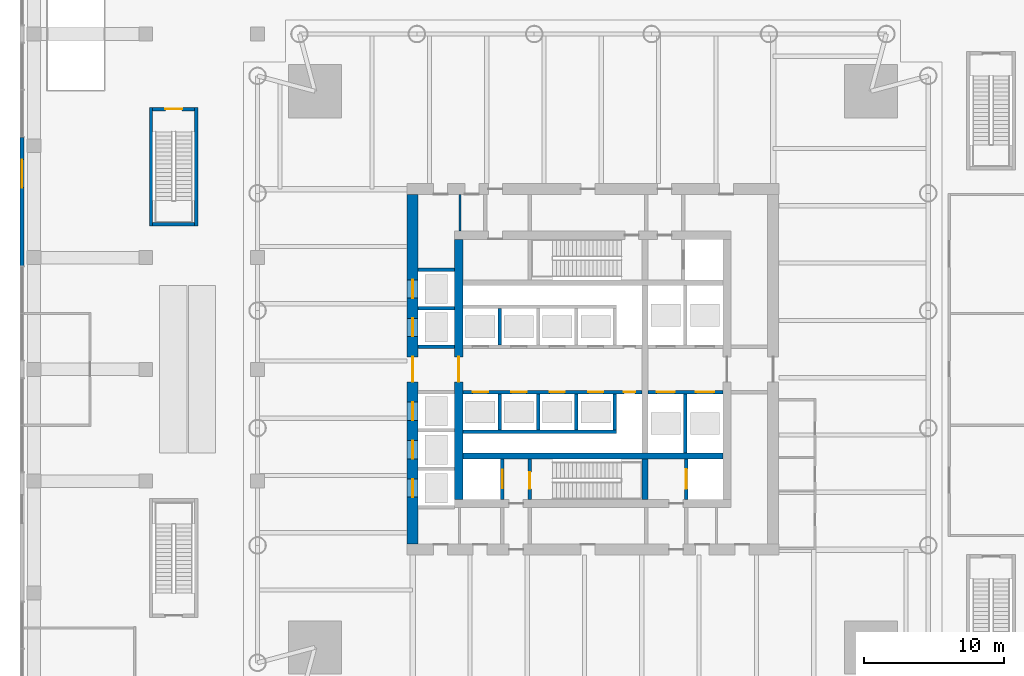
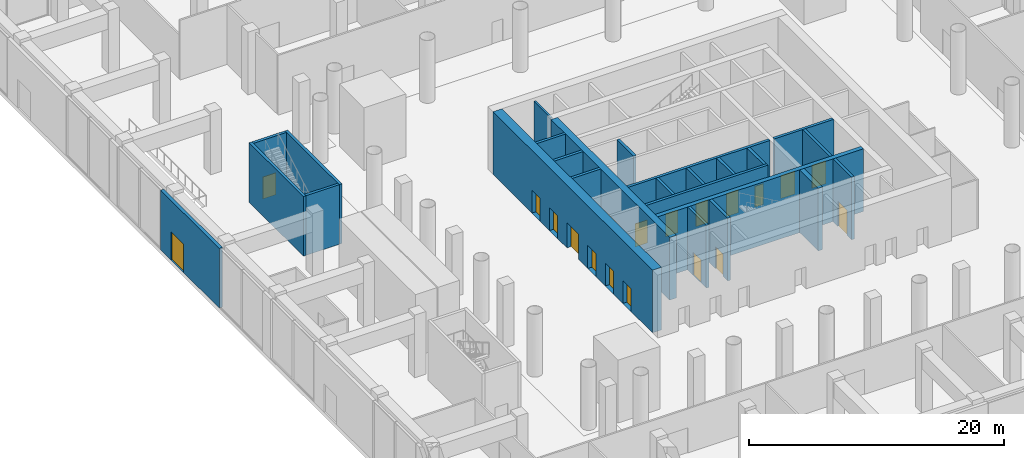
# One storey, part 25 of 39: 25 walls, 19 doors, 19 openings.
"""IFC4 building model written with IfcOpenShell, lengths in metres."""

from ifc_helpers import new_model, si_unit, direction, frame, frame_2d, origin, place, context, subcontext, project, spatial, rectangle, extrude, material, layer, layer_set, type_object, element, fill, save


model = new_model("IFC4")

# Units and contexts
model_context = context("Model", 3, precision=1e-05, world=origin(), true_north=direction((0.0, 1.0)))
body_context = subcontext(model_context, "Body", "Model", "MODEL_VIEW")
ifc_project = project(units=[si_unit("LENGTHUNIT", "METRE"), si_unit("AREAUNIT", "SQUARE_METRE"), si_unit("VOLUMEUNIT", "CUBIC_METRE"), si_unit("PLANEANGLEUNIT", "RADIAN"), si_unit("MASSUNIT", "GRAM", prefix="KILO")], contexts=[model_context])

# Site, building, storey
site_placement = place(None, origin())
site = spatial("IfcSite", under=ifc_project, at=site_placement, CompositionType="ELEMENT")
building_placement = place(site_placement, origin())
building = spatial("IfcBuilding", under=site, at=building_placement, Name="Ostroluk Exchange", CompositionType="ELEMENT")
storey_placement = place(building_placement, origin())
storey = spatial("IfcBuildingStorey", under=building, at=storey_placement, Name="L00", CompositionType="ELEMENT", Elevation=0.0)

# Walls
ifc_material_1 = material(Name="Concrete blockwork", Category="masonry")
ifc_layer_1 = layer(ifc_material_1, 0.14990234375)
ifc_layer_set_1 = layer_set([ifc_layer_1], Name="Blockwork plant room wall 150")
wall_type_1 = type_object("IfcWallType", Name="Blockwork plant room wall 150", PredefinedType="SOLIDWALL", material=ifc_layer_set_1)
wall_1_placement = place(storey_placement, frame((35.491943359375, 55.89990234375, 0.0), z_axis=(0.0, 0.0, 1.0), x_axis=(0.0, 1.0, 0.0)))
element("IfcWall", 1, at=wall_1_placement, inside=storey, type_object=wall_type_1, Name="Core room wall", PredefinedType="SOLIDWALL", context=body_context, shape_type="SweptSolid", body=[
    extrude(rectangle(XDim=2.60009765625, YDim=0.14990234375, at=frame_2d((1.300048828125, 0.0))), origin(), (0.0, 0.0, 1.0), 5.699951171875),
])
ifc_material_2 = material(Name="Concrete blockwork", Category="masonry")
ifc_layer_2 = layer(ifc_material_2, 0.25)
ifc_layer_set_2 = layer_set([ifc_layer_2], Name="Blockwork stair enclosure wall 250")
wall_type_2 = type_object("IfcWallType", Name="Blockwork stair enclosure wall 250", PredefinedType="SOLIDWALL", material=ifc_layer_set_2)
for number, where, z_axis, x_axis, name in (
    (2, (13.375, 56.25, 0.0), (0.0, 0.0, 1.0), (0.0, 1.0, 0.0), "Stair PS2 enclosure wall"),
    (3, (16.625, 56.25, 0.0), (0.0, 0.0, 1.0), (0.0, 1.0, 0.0), "Stair PS2 enclosure wall"),
):
    element("IfcWall", number, at=place(storey_placement, frame(where, z_axis=z_axis, x_axis=x_axis)), inside=storey, type_object=wall_type_2, Name=name, PredefinedType="SOLIDWALL", context=body_context, shape_type="SweptSolid", body=[
        extrude(rectangle(XDim=8.5, YDim=0.25, at=frame_2d((4.25, 0.0))), origin(), (0.0, 0.0, 1.0), 5.699951171875),
    ])
wall_2_placement = place(storey_placement, frame((13.5, 56.375, 0.0), z_axis=(0.0, 0.0, 1.0), x_axis=(1.0, 0.0, 0.0)))
element("IfcWall", 4, at=wall_2_placement, inside=storey, type_object=wall_type_2, Name="Stair PS2 enclosure wall", PredefinedType="SOLIDWALL", context=body_context, shape_type="SweptSolid", body=[
    extrude(rectangle(XDim=3.0, YDim=0.25, at=frame_2d((1.5, 0.0))), origin(), (0.0, 0.0, 1.0), 5.699951171875),
])

# Wall, opening, door
wall_3_placement = place(storey_placement, frame((13.5, 64.625, 0.0), z_axis=(0.0, 0.0, 1.0), x_axis=(1.0, 0.0, 0.0)))
wall_3 = element("IfcWall", 5, at=wall_3_placement, inside=storey, type_object=wall_type_2, Name="Stair PS2 enclosure wall", PredefinedType="SOLIDWALL", context=body_context, shape_type="SweptSolid", body=[
    extrude(rectangle(XDim=3.0, YDim=0.25, at=frame_2d((1.5, 0.0))), origin(), (0.0, 0.0, 1.0), 5.699951171875),
])
opening_1_placement = place(wall_3_placement, frame((0.89990234375, 0.0, 0.0)))
opening_1 = element("IfcOpeningElement", 6, at=opening_1_placement, cuts=wall_3, Name="Opening FD60S", PredefinedType="OPENING", context=body_context, shape_type="SweptSolid", body=[
    extrude(rectangle(XDim=1.199951171875, YDim=2.10009765625, at=frame_2d((0.60009765625, 1.050048828125))), frame((0.0, 0.135009765625, 0.0), z_axis=(0.0, -1.0, 0.0), x_axis=(1.0, 0.0, 0.0)), (0.0, 0.0, 1.0), 0.27001953125),
])
ifc_material_3 = material(Name="Steel", Category="steel")
door_type_1 = type_object("IfcDoorType", Name="Stair door EI 60 1200 x 2100", OperationType="SINGLE_SWING_LEFT", PredefinedType="DOOR", material=ifc_material_3)
door_1_placement = place(opening_1_placement, origin())
door_1 = element("IfcDoor", 7, at=door_1_placement, inside=storey, type_object=door_type_1, Name="Stair PS2 door", OperationType="SINGLE_SWING_LEFT", OverallHeight=2.10009765625, OverallWidth=1.199951171875, PredefinedType="DOOR", context=body_context, shape_type="SweptSolid", body=[
    extrude(rectangle(XDim=1.199951171875, YDim=2.10009765625, at=frame_2d((0.60009765625, 1.050048828125))), frame((0.0, 0.02490234375, 0.0), z_axis=(0.0, -1.0, 0.0), x_axis=(1.0, 0.0, 0.0)), (0.0, 0.0, 1.0), 0.050048828125),
])
fill(opening_1, door_1)

# Walls
ifc_material_4 = material(Name="Concrete C50/60", Category="concrete")
ifc_layer_3 = layer(ifc_material_4, 0.39990234375)
ifc_layer_set_3 = layer_set([ifc_layer_3], Name="Core cross wall 400 C50/60")
wall_type_3 = type_object("IfcWallType", Name="Core cross wall 400 C50/60", PredefinedType="SHEAR", material=ifc_layer_set_3)
wall_4_placement = place(storey_placement, frame((35.699951171875, 39.800048828125, 0.0), z_axis=(0.0, 0.0, 1.0), x_axis=(1.0, 0.0, 0.0)))
element("IfcWall", 8, at=wall_4_placement, inside=storey, type_object=wall_type_3, Name="T1 core wall XS", PredefinedType="SHEAR", context=body_context, shape_type="SweptSolid", body=[
    extrude(rectangle(XDim=18.60009765625, YDim=0.39990234375, at=frame_2d((9.300048828125, 0.0))), origin(), (0.0, 0.0, 1.0), 6.0),
])
wall_5_placement = place(storey_placement, frame((48.72998046875, 36.699951171875, 0.0), z_axis=(0.0, 0.0, 1.0), x_axis=(0.0, 1.0, 0.0)))
element("IfcWall", 9, at=wall_5_placement, inside=storey, type_object=wall_type_3, Name="T1 core wall YE1", PredefinedType="SHEAR", context=body_context, shape_type="SweptSolid", body=[
    extrude(rectangle(XDim=2.900146484375, YDim=0.39990234375, at=frame_2d((1.4501953125, 0.0))), origin(), (0.0, 0.0, 1.0), 6.0),
])

# Wall, opening, door
ifc_material_5 = material(Name="Concrete C40/50", Category="concrete")
ifc_layer_4 = layer(ifc_material_5, 0.25)
ifc_layer_set_4 = layer_set([ifc_layer_4], Name="Core shaft wall 250")
wall_type_4 = type_object("IfcWallType", Name="Core shaft wall 250", PredefinedType="SHEAR", material=ifc_layer_set_4)
wall_6_placement = place(storey_placement, frame((38.52490234375, 36.699951171875, 0.0), z_axis=(0.0, 0.0, 1.0), x_axis=(0.0, 1.0, 0.0)))
wall_6 = element("IfcWall", 10, at=wall_6_placement, inside=storey, type_object=wall_type_4, Name="Firefighting lift shaft wall", PredefinedType="SHEAR", context=body_context, shape_type="SweptSolid", body=[
    extrude(rectangle(XDim=2.900146484375, YDim=0.25, at=frame_2d((1.4501953125, 0.0))), origin(), (0.0, 0.0, 1.0), 6.0),
])
opening_2_placement = place(wall_6_placement, frame((0.800048828125, 0.0, 0.0)))
opening_2 = element("IfcOpeningElement", 11, at=opening_2_placement, cuts=wall_6, Name="Opening LD2", PredefinedType="OPENING", context=body_context, shape_type="SweptSolid", body=[
    extrude(rectangle(XDim=1.300048828125, YDim=2.199951171875, at=frame_2d((0.64990234375, 1.10009765625))), frame((0.0, 0.135009765625, 0.0), z_axis=(0.0, -1.0, 0.0), x_axis=(1.0, 0.0, 0.0)), (0.0, 0.0, 1.0), 0.27001953125),
])
ifc_material_6 = material(Name="Stainless steel", Category="steel")
door_type_2 = type_object("IfcDoorType", Name="Lift landing door E 60 1300 x 2200", OperationType="DOUBLE_DOOR_SLIDING", PredefinedType="DOOR", material=ifc_material_6)
door_2_placement = place(opening_2_placement, origin())
door_2 = element("IfcDoor", 12, at=door_2_placement, inside=storey, type_object=door_type_2, Name="Lift FL1 landing door", OperationType="DOUBLE_DOOR_SLIDING", OverallHeight=2.199951171875, OverallWidth=1.300048828125, PredefinedType="DOOR", context=body_context, shape_type="SweptSolid", body=[
    extrude(rectangle(XDim=1.300048828125, YDim=2.199951171875, at=frame_2d((0.64990234375, 1.10009765625))), frame((0.0, 0.02490234375, 0.0), z_axis=(0.0, -1.0, 0.0), x_axis=(1.0, 0.0, 0.0)), (0.0, 0.0, 1.0), 0.050048828125),
])
fill(opening_2, door_2)

wall_7_placement = place(storey_placement, frame((40.47509765625, 36.699951171875, 0.0), z_axis=(0.0, 0.0, 1.0), x_axis=(0.0, 1.0, 0.0)))
wall_7 = element("IfcWall", 13, at=wall_7_placement, inside=storey, type_object=wall_type_4, Name="Stair shaft wall", PredefinedType="SHEAR", context=body_context, shape_type="SweptSolid", body=[
    extrude(rectangle(XDim=2.900146484375, YDim=0.25, at=frame_2d((1.4501953125, 0.0))), origin(), (0.0, 0.0, 1.0), 6.0),
])
opening_3_placement = place(wall_7_placement, frame((0.75, 0.0, 0.0)))
opening_3 = element("IfcOpeningElement", 14, at=opening_3_placement, cuts=wall_7, Name="Opening FD60S", PredefinedType="OPENING", context=body_context, shape_type="SweptSolid", body=[
    extrude(rectangle(XDim=1.199951171875, YDim=2.10009765625, at=frame_2d((0.60009765625, 1.050048828125))), frame((0.0, 0.135009765625, 0.0), z_axis=(0.0, -1.0, 0.0), x_axis=(1.0, 0.0, 0.0)), (0.0, 0.0, 1.0), 0.27001953125),
])
door_3_placement = place(opening_3_placement, origin())
door_3 = element("IfcDoor", 15, at=door_3_placement, inside=storey, type_object=door_type_1, Name="Stair T1-S1 door", OperationType="SINGLE_SWING_LEFT", OverallHeight=2.10009765625, OverallWidth=1.199951171875, PredefinedType="DOOR", context=body_context, shape_type="SweptSolid", body=[
    extrude(rectangle(XDim=1.199951171875, YDim=2.10009765625, at=frame_2d((0.60009765625, 1.050048828125))), frame((0.0, 0.02490234375, 0.0), z_axis=(0.0, -1.0, 0.0), x_axis=(1.0, 0.0, 0.0)), (0.0, 0.0, 1.0), 0.050048828125),
])
fill(opening_3, door_3)

wall_8_placement = place(storey_placement, frame((51.675048828125, 36.699951171875, 0.0), z_axis=(0.0, 0.0, 1.0), x_axis=(0.0, 1.0, 0.0)))
wall_8 = element("IfcWall", 16, at=wall_8_placement, inside=storey, type_object=wall_type_4, Name="Service lift shaft wall", PredefinedType="SHEAR", context=body_context, shape_type="SweptSolid", body=[
    extrude(rectangle(XDim=2.900146484375, YDim=0.25, at=frame_2d((1.4501953125, 0.0))), origin(), (0.0, 0.0, 1.0), 6.0),
])
opening_4_placement = place(wall_8_placement, frame((0.75, 0.0, 0.0)))
opening_4 = element("IfcOpeningElement", 17, at=opening_4_placement, cuts=wall_8, Name="Opening LD3", PredefinedType="OPENING", context=body_context, shape_type="SweptSolid", body=[
    extrude(rectangle(XDim=1.39990234375, YDim=2.39990234375, at=frame_2d((0.699951171875, 1.199951171875))), frame((0.0, 0.135009765625, 0.0), z_axis=(0.0, -1.0, 0.0), x_axis=(1.0, 0.0, 0.0)), (0.0, 0.0, 1.0), 0.27001953125),
])
ifc_material_7 = material(Name="Stainless steel", Category="steel")
door_type_3 = type_object("IfcDoorType", Name="Goods lift landing door E 60 1400 x 2400", OperationType="DOUBLE_DOOR_SLIDING", PredefinedType="DOOR", material=ifc_material_7)
door_4_placement = place(opening_4_placement, origin())
door_4 = element("IfcDoor", 18, at=door_4_placement, inside=storey, type_object=door_type_3, Name="Lift SL1 landing door", OperationType="DOUBLE_DOOR_SLIDING", OverallHeight=2.39990234375, OverallWidth=1.39990234375, PredefinedType="DOOR", context=body_context, shape_type="SweptSolid", body=[
    extrude(rectangle(XDim=1.39990234375, YDim=2.39990234375, at=frame_2d((0.699951171875, 1.199951171875))), frame((0.0, 0.02490234375, 0.0), z_axis=(0.0, -1.0, 0.0), x_axis=(1.0, 0.0, 0.0)), (0.0, 0.0, 1.0), 0.050048828125),
])
fill(opening_4, door_4)

# Walls
for number, where, z_axis, x_axis, name in (
    (19, (38.324951171875, 47.75, 0.0), (0.0, 0.0, 1.0), (0.0, 1.0, 0.0), "Lift shaft wall"),
    (20, (38.324951171875, 44.25, 0.0), (0.0, 0.0, 1.0), (0.0, -1.0, 0.0), "Lift shaft wall"),
    (21, (41.074951171875, 44.25, 0.0), (0.0, 0.0, 1.0), (0.0, -1.0, 0.0), "Lift shaft wall"),
    (22, (43.824951171875, 44.25, 0.0), (0.0, 0.0, 1.0), (0.0, -1.0, 0.0), "Lift shaft wall"),
    (23, (46.574951171875, 44.25, 0.0), (0.0, 0.0, 1.0), (0.0, -1.0, 0.0), "Lift shaft wall"),
):
    element("IfcWall", number, at=place(storey_placement, frame(where, z_axis=z_axis, x_axis=x_axis)), inside=storey, type_object=wall_type_4, Name=name, PredefinedType="SHEAR", context=body_context, shape_type="SweptSolid", body=[
        extrude(rectangle(XDim=2.60009765625, YDim=0.25, at=frame_2d((1.300048828125, 0.0))), origin(), (0.0, 0.0, 1.0), 6.0),
    ])
wall_9_placement = place(storey_placement, frame((35.699951171875, 41.52490234375, 0.0), z_axis=(0.0, 0.0, 1.0), x_axis=(1.0, 0.0, 0.0)))
element("IfcWall", 24, at=wall_9_placement, inside=storey, type_object=wall_type_4, Name="Lift shaft wall", PredefinedType="SHEAR", context=body_context, shape_type="SweptSolid", body=[
    extrude(rectangle(XDim=11.0, YDim=0.25, at=frame_2d((5.5, 0.0))), origin(), (0.0, 0.0, 1.0), 6.0),
])

# Wall, openings, doors
wall_10_placement = place(storey_placement, frame((35.699951171875, 44.375, 0.0), z_axis=(0.0, 0.0, 1.0), x_axis=(1.0, 0.0, 0.0)))
wall_10 = element("IfcWall", 25, at=wall_10_placement, inside=storey, type_object=wall_type_4, Name="Lift shaft front wall", PredefinedType="SHEAR", context=body_context, shape_type="SweptSolid", body=[
    extrude(rectangle(XDim=12.830078125, YDim=0.25, at=frame_2d((6.4150390625, 0.0))), origin(), (0.0, 0.0, 1.0), 6.0),
])
opening_5_placement = place(wall_10_placement, frame((0.699951171875, 0.0, 0.0)))
opening_5 = element("IfcOpeningElement", 26, at=opening_5_placement, cuts=wall_10, Name="Opening LD", PredefinedType="OPENING", context=body_context, shape_type="SweptSolid", body=[
    extrude(rectangle(XDim=1.10009765625, YDim=2.199951171875, at=frame_2d((0.550048828125, 1.10009765625))), frame((0.0, 0.135009765625, 0.0), z_axis=(0.0, -1.0, 0.0), x_axis=(1.0, 0.0, 0.0)), (0.0, 0.0, 1.0), 0.27001953125),
])
opening_6_placement = place(wall_10_placement, frame((3.449951171875, 0.0, 0.0)))
opening_6 = element("IfcOpeningElement", 27, at=opening_6_placement, cuts=wall_10, Name="Opening LD", PredefinedType="OPENING", context=body_context, shape_type="SweptSolid", body=[
    extrude(rectangle(XDim=1.10009765625, YDim=2.199951171875, at=frame_2d((0.550048828125, 1.10009765625))), frame((0.0, 0.135009765625, 0.0), z_axis=(0.0, -1.0, 0.0), x_axis=(1.0, 0.0, 0.0)), (0.0, 0.0, 1.0), 0.27001953125),
])
opening_7_placement = place(wall_10_placement, frame((6.199951171875, 0.0, 0.0)))
opening_7 = element("IfcOpeningElement", 28, at=opening_7_placement, cuts=wall_10, Name="Opening LD", PredefinedType="OPENING", context=body_context, shape_type="SweptSolid", body=[
    extrude(rectangle(XDim=1.10009765625, YDim=2.199951171875, at=frame_2d((0.550048828125, 1.10009765625))), frame((0.0, 0.135009765625, 0.0), z_axis=(0.0, -1.0, 0.0), x_axis=(1.0, 0.0, 0.0)), (0.0, 0.0, 1.0), 0.27001953125),
])
opening_8_placement = place(wall_10_placement, frame((8.949951171875, 0.0, 0.0)))
opening_8 = element("IfcOpeningElement", 29, at=opening_8_placement, cuts=wall_10, Name="Opening LD", PredefinedType="OPENING", context=body_context, shape_type="SweptSolid", body=[
    extrude(rectangle(XDim=1.10009765625, YDim=2.199951171875, at=frame_2d((0.550048828125, 1.10009765625))), frame((0.0, 0.135009765625, 0.0), z_axis=(0.0, -1.0, 0.0), x_axis=(1.0, 0.0, 0.0)), (0.0, 0.0, 1.0), 0.27001953125),
])
opening_9_placement = place(wall_10_placement, frame((11.514892578125, 0.0, 0.0)))
opening_9 = element("IfcOpeningElement", 30, at=opening_9_placement, cuts=wall_10, Name="Opening RD60", PredefinedType="OPENING", context=body_context, shape_type="SweptSolid", body=[
    extrude(rectangle(XDim=0.800048828125, YDim=2.0, at=frame_2d((0.39990234375, 1.0))), frame((0.0, 0.135009765625, 0.0), z_axis=(0.0, -1.0, 0.0), x_axis=(1.0, 0.0, 0.0)), (0.0, 0.0, 1.0), 0.27001953125),
])
ifc_material_8 = material(Name="Stainless steel", Category="steel")
door_type_4 = type_object("IfcDoorType", Name="Lift landing door E 60 1100 x 2200", OperationType="DOUBLE_DOOR_SLIDING", PredefinedType="DOOR", material=ifc_material_8)
door_5_placement = place(opening_5_placement, origin())
door_5 = element("IfcDoor", 31, at=door_5_placement, inside=storey, type_object=door_type_4, Name="Lift PL-L5 landing door", OperationType="DOUBLE_DOOR_SLIDING", OverallHeight=2.199951171875, OverallWidth=1.10009765625, PredefinedType="DOOR", context=body_context, shape_type="SweptSolid", body=[
    extrude(rectangle(XDim=1.10009765625, YDim=2.199951171875, at=frame_2d((0.550048828125, 1.10009765625))), frame((0.0, 0.02490234375, 0.0), z_axis=(0.0, -1.0, 0.0), x_axis=(1.0, 0.0, 0.0)), (0.0, 0.0, 1.0), 0.050048828125),
])
fill(opening_5, door_5)
door_6_placement = place(opening_6_placement, origin())
door_6 = element("IfcDoor", 32, at=door_6_placement, inside=storey, type_object=door_type_4, Name="Lift PL-L6 landing door", OperationType="DOUBLE_DOOR_SLIDING", OverallHeight=2.199951171875, OverallWidth=1.10009765625, PredefinedType="DOOR", context=body_context, shape_type="SweptSolid", body=[
    extrude(rectangle(XDim=1.10009765625, YDim=2.199951171875, at=frame_2d((0.550048828125, 1.10009765625))), frame((0.0, 0.02490234375, 0.0), z_axis=(0.0, -1.0, 0.0), x_axis=(1.0, 0.0, 0.0)), (0.0, 0.0, 1.0), 0.050048828125),
])
fill(opening_6, door_6)
door_7_placement = place(opening_7_placement, origin())
door_7 = element("IfcDoor", 33, at=door_7_placement, inside=storey, type_object=door_type_4, Name="Lift PL-L7 landing door", OperationType="DOUBLE_DOOR_SLIDING", OverallHeight=2.199951171875, OverallWidth=1.10009765625, PredefinedType="DOOR", context=body_context, shape_type="SweptSolid", body=[
    extrude(rectangle(XDim=1.10009765625, YDim=2.199951171875, at=frame_2d((0.550048828125, 1.10009765625))), frame((0.0, 0.02490234375, 0.0), z_axis=(0.0, -1.0, 0.0), x_axis=(1.0, 0.0, 0.0)), (0.0, 0.0, 1.0), 0.050048828125),
])
fill(opening_7, door_7)
door_8_placement = place(opening_8_placement, origin())
door_8 = element("IfcDoor", 34, at=door_8_placement, inside=storey, type_object=door_type_4, Name="Lift PL-L8 landing door", OperationType="DOUBLE_DOOR_SLIDING", OverallHeight=2.199951171875, OverallWidth=1.10009765625, PredefinedType="DOOR", context=body_context, shape_type="SweptSolid", body=[
    extrude(rectangle(XDim=1.10009765625, YDim=2.199951171875, at=frame_2d((0.550048828125, 1.10009765625))), frame((0.0, 0.02490234375, 0.0), z_axis=(0.0, -1.0, 0.0), x_axis=(1.0, 0.0, 0.0)), (0.0, 0.0, 1.0), 0.050048828125),
])
fill(opening_8, door_8)
ifc_material_9 = material(Name="Steel", Category="steel")
door_type_5 = type_object("IfcDoorType", Name="Riser access door EI 60 800 x 2000", OperationType="SINGLE_SWING_LEFT", PredefinedType="DOOR", material=ifc_material_9)
door_9_placement = place(opening_9_placement, origin())
door_9 = element("IfcDoor", 35, at=door_9_placement, inside=storey, type_object=door_type_5, Name="Riser access door", OperationType="SINGLE_SWING_RIGHT", OverallHeight=2.0, OverallWidth=0.800048828125, PredefinedType="DOOR", context=body_context, shape_type="SweptSolid", body=[
    extrude(rectangle(XDim=0.800048828125, YDim=2.0, at=frame_2d((0.39990234375, 1.0))), frame((0.0, 0.02490234375, 0.0), z_axis=(0.0, -1.0, 0.0), x_axis=(1.0, 0.0, 0.0)), (0.0, 0.0, 1.0), 0.050048828125),
])
fill(opening_9, door_9)

# Wall
wall_11_placement = place(storey_placement, frame((51.614990234375, 44.25, 0.0), z_axis=(0.0, 0.0, 1.0), x_axis=(0.0, -1.0, 0.0)))
element("IfcWall", 36, at=wall_11_placement, inside=storey, type_object=wall_type_4, Name="Lift shaft wall", PredefinedType="SHEAR", context=body_context, shape_type="SweptSolid", body=[
    extrude(rectangle(XDim=4.25, YDim=0.25, at=frame_2d((2.125, 0.0))), origin(), (0.0, 0.0, 1.0), 6.0),
])

# Wall, openings, doors
wall_12_placement = place(storey_placement, frame((48.929931640625, 44.375, 0.0), z_axis=(0.0, 0.0, 1.0), x_axis=(1.0, 0.0, 0.0)))
wall_12 = element("IfcWall", 37, at=wall_12_placement, inside=storey, type_object=wall_type_4, Name="Lift shaft front wall", PredefinedType="SHEAR", context=body_context, shape_type="SweptSolid", body=[
    extrude(rectangle(XDim=5.3701171875, YDim=0.25, at=frame_2d((2.68505859375, 0.0))), origin(), (0.0, 0.0, 1.0), 6.0),
])
opening_10_placement = place(wall_12_placement, frame((0.6298828125, 0.0, 0.0)))
opening_10 = element("IfcOpeningElement", 38, at=opening_10_placement, cuts=wall_12, Name="Opening LD2", PredefinedType="OPENING", context=body_context, shape_type="SweptSolid", body=[
    extrude(rectangle(XDim=1.300048828125, YDim=2.199951171875, at=frame_2d((0.64990234375, 1.10009765625))), frame((0.0, 0.135009765625, 0.0), z_axis=(0.0, -1.0, 0.0), x_axis=(1.0, 0.0, 0.0)), (0.0, 0.0, 1.0), 0.27001953125),
])
opening_11_placement = place(wall_12_placement, frame((3.43994140625, 0.0, 0.0)))
opening_11 = element("IfcOpeningElement", 39, at=opening_11_placement, cuts=wall_12, Name="Opening LD2", PredefinedType="OPENING", context=body_context, shape_type="SweptSolid", body=[
    extrude(rectangle(XDim=1.300048828125, YDim=2.199951171875, at=frame_2d((0.64990234375, 1.10009765625))), frame((0.0, 0.135009765625, 0.0), z_axis=(0.0, -1.0, 0.0), x_axis=(1.0, 0.0, 0.0)), (0.0, 0.0, 1.0), 0.27001953125),
])
door_10_placement = place(opening_10_placement, origin())
door_10 = element("IfcDoor", 40, at=door_10_placement, inside=storey, type_object=door_type_2, Name="Lift SX3 landing door", OperationType="DOUBLE_DOOR_SLIDING", OverallHeight=2.199951171875, OverallWidth=1.300048828125, PredefinedType="DOOR", context=body_context, shape_type="SweptSolid", body=[
    extrude(rectangle(XDim=1.300048828125, YDim=2.199951171875, at=frame_2d((0.64990234375, 1.10009765625))), frame((0.0, 0.02490234375, 0.0), z_axis=(0.0, -1.0, 0.0), x_axis=(1.0, 0.0, 0.0)), (0.0, 0.0, 1.0), 0.050048828125),
])
fill(opening_10, door_10)
door_11_placement = place(opening_11_placement, origin())
door_11 = element("IfcDoor", 41, at=door_11_placement, inside=storey, type_object=door_type_2, Name="Lift SX4 landing door", OperationType="DOUBLE_DOOR_SLIDING", OverallHeight=2.199951171875, OverallWidth=1.300048828125, PredefinedType="DOOR", context=body_context, shape_type="SweptSolid", body=[
    extrude(rectangle(XDim=1.300048828125, YDim=2.199951171875, at=frame_2d((0.64990234375, 1.10009765625))), frame((0.0, 0.02490234375, 0.0), z_axis=(0.0, -1.0, 0.0), x_axis=(1.0, 0.0, 0.0)), (0.0, 0.0, 1.0), 0.050048828125),
])
fill(opening_11, door_11)

# Walls
for number, where, z_axis, x_axis, name in (
    (42, (32.5, 47.625, 0.0), (0.0, 0.0, 1.0), (1.0, 0.0, 0.0), "Lift shaft wall"),
    (43, (32.5, 50.375, 0.0), (0.0, 0.0, 1.0), (1.0, 0.0, 0.0), "Lift shaft wall"),
    (44, (32.5, 53.125, 0.0), (0.0, 0.0, 1.0), (1.0, 0.0, 0.0), "Lift shaft wall"),
):
    element("IfcWall", number, at=place(storey_placement, frame(where, z_axis=z_axis, x_axis=x_axis)), inside=storey, type_object=wall_type_4, Name=name, PredefinedType="SHEAR", context=body_context, shape_type="SweptSolid", body=[
        extrude(rectangle(XDim=2.60009765625, YDim=0.25, at=frame_2d((1.300048828125, 0.0))), origin(), (0.0, 0.0, 1.0), 6.0),
    ])

# Wall, opening, door
ifc_material_10 = material(Name="Concrete C50/60", Category="concrete")
ifc_layer_5 = layer(ifc_material_10, 0.60009765625)
ifc_layer_set_5 = layer_set([ifc_layer_5], Name="Core wall 600 C50/60")
wall_type_5 = type_object("IfcWallType", Name="Core wall 600 C50/60", PredefinedType="SHEAR", material=ifc_layer_set_5)
wall_13_placement = place(storey_placement, frame((35.39990234375, 36.699951171875, 0.0), z_axis=(0.0, 0.0, 1.0), x_axis=(0.0, 1.0, 0.0)))
wall_13 = element("IfcWall", 45, at=wall_13_placement, inside=storey, type_object=wall_type_5, Name="T1 core wall W", PredefinedType="SHEAR", context=body_context, shape_type="SweptSolid", body=[
    extrude(rectangle(XDim=18.60009765625, YDim=0.60009765625, at=frame_2d((9.300048828125, 0.0))), origin(), (0.0, 0.0, 1.0), 6.0),
])
opening_12_placement = place(wall_13_placement, frame((8.39990234375, 0.0, 0.0)))
opening_12 = element("IfcOpeningElement", 46, at=opening_12_placement, cuts=wall_13, Name="Opening FD30D", PredefinedType="OPENING", context=body_context, shape_type="SweptSolid", body=[
    extrude(rectangle(XDim=1.800048828125, YDim=2.39990234375, at=frame_2d((0.89990234375, 1.199951171875))), frame((0.0, 0.31005859375, 0.0), z_axis=(0.0, -1.0, 0.0), x_axis=(1.0, 0.0, 0.0)), (0.0, 0.0, 1.0), 0.6201171875),
])
ifc_material_11 = material(Name="Timber", Category="wood")
door_type_6 = type_object("IfcDoorType", Name="Lobby double door EI 30 1800 x 2400", OperationType="DOUBLE_DOOR_SINGLE_SWING", PredefinedType="DOOR", material=ifc_material_11)
door_12_placement = place(opening_12_placement, origin())
door_12 = element("IfcDoor", 47, at=door_12_placement, inside=storey, type_object=door_type_6, Name="Lift lobby doors", OperationType="DOUBLE_DOOR_SINGLE_SWING", OverallHeight=2.39990234375, OverallWidth=1.800048828125, PredefinedType="DOOR", context=body_context, shape_type="SweptSolid", body=[
    extrude(rectangle(XDim=1.800048828125, YDim=2.39990234375, at=frame_2d((0.89990234375, 1.199951171875))), frame((0.0, 0.02490234375, 0.0), z_axis=(0.0, -1.0, 0.0), x_axis=(1.0, 0.0, 0.0)), (0.0, 0.0, 1.0), 0.050048828125),
])
fill(opening_12, door_12)

# Wall, openings, doors
ifc_material_12 = material(Name="Concrete C50/60", Category="concrete")
ifc_layer_6 = layer(ifc_material_12, 0.800048828125)
ifc_layer_set_6 = layer_set([ifc_layer_6], Name="Core wall 800 C50/60")
wall_type_6 = type_object("IfcWallType", Name="Core wall 800 C50/60", PredefinedType="SHEAR", material=ifc_layer_set_6)
wall_14_placement = place(storey_placement, frame((32.10009765625, 33.5, 0.0), z_axis=(0.0, 0.0, 1.0), x_axis=(0.0, 1.0, 0.0)))
wall_14 = element("IfcWall", 48, at=wall_14_placement, inside=storey, type_object=wall_type_6, Name="T1 core wall RW", PredefinedType="SHEAR", context=body_context, shape_type="SweptSolid", body=[
    extrude(rectangle(XDim=25.0, YDim=0.800048828125, at=frame_2d((12.5, 0.0))), origin(), (0.0, 0.0, 1.0), 6.0),
])
opening_13_placement = place(wall_14_placement, frame((3.35009765625, 0.0, 0.0)))
opening_13 = element("IfcOpeningElement", 49, at=opening_13_placement, cuts=wall_14, Name="Opening LD2", PredefinedType="OPENING", context=body_context, shape_type="SweptSolid", body=[
    extrude(rectangle(XDim=1.300048828125, YDim=2.199951171875, at=frame_2d((0.64990234375, 1.10009765625))), frame((0.0, 0.409912109375, 0.0), z_axis=(0.0, -1.0, 0.0), x_axis=(1.0, 0.0, 0.0)), (0.0, 0.0, 1.0), 0.820068359375),
])
opening_14_placement = place(wall_14_placement, frame((6.10009765625, 0.0, 0.0)))
opening_14 = element("IfcOpeningElement", 50, at=opening_14_placement, cuts=wall_14, Name="Opening LD2", PredefinedType="OPENING", context=body_context, shape_type="SweptSolid", body=[
    extrude(rectangle(XDim=1.300048828125, YDim=2.199951171875, at=frame_2d((0.64990234375, 1.10009765625))), frame((0.0, 0.409912109375, 0.0), z_axis=(0.0, -1.0, 0.0), x_axis=(1.0, 0.0, 0.0)), (0.0, 0.0, 1.0), 0.820068359375),
])
opening_15_placement = place(wall_14_placement, frame((8.85009765625, 0.0, 0.0)))
opening_15 = element("IfcOpeningElement", 51, at=opening_15_placement, cuts=wall_14, Name="Opening LD2", PredefinedType="OPENING", context=body_context, shape_type="SweptSolid", body=[
    extrude(rectangle(XDim=1.300048828125, YDim=2.199951171875, at=frame_2d((0.64990234375, 1.10009765625))), frame((0.0, 0.409912109375, 0.0), z_axis=(0.0, -1.0, 0.0), x_axis=(1.0, 0.0, 0.0)), (0.0, 0.0, 1.0), 0.820068359375),
])
opening_16_placement = place(wall_14_placement, frame((14.85009765625, 0.0, 0.0)))
opening_16 = element("IfcOpeningElement", 52, at=opening_16_placement, cuts=wall_14, Name="Opening LD2", PredefinedType="OPENING", context=body_context, shape_type="SweptSolid", body=[
    extrude(rectangle(XDim=1.300048828125, YDim=2.199951171875, at=frame_2d((0.64990234375, 1.10009765625))), frame((0.0, 0.409912109375, 0.0), z_axis=(0.0, -1.0, 0.0), x_axis=(1.0, 0.0, 0.0)), (0.0, 0.0, 1.0), 0.820068359375),
])
opening_17_placement = place(wall_14_placement, frame((17.60009765625, 0.0, 0.0)))
opening_17 = element("IfcOpeningElement", 53, at=opening_17_placement, cuts=wall_14, Name="Opening LD2", PredefinedType="OPENING", context=body_context, shape_type="SweptSolid", body=[
    extrude(rectangle(XDim=1.300048828125, YDim=2.199951171875, at=frame_2d((0.64990234375, 1.10009765625))), frame((0.0, 0.409912109375, 0.0), z_axis=(0.0, -1.0, 0.0), x_axis=(1.0, 0.0, 0.0)), (0.0, 0.0, 1.0), 0.820068359375),
])
opening_18_placement = place(wall_14_placement, frame((11.60009765625, 0.0, 0.0)))
opening_18 = element("IfcOpeningElement", 54, at=opening_18_placement, cuts=wall_14, Name="Opening FD30D", PredefinedType="OPENING", context=body_context, shape_type="SweptSolid", body=[
    extrude(rectangle(XDim=1.800048828125, YDim=2.39990234375, at=frame_2d((0.89990234375, 1.199951171875))), frame((0.0, 0.409912109375, 0.0), z_axis=(0.0, -1.0, 0.0), x_axis=(1.0, 0.0, 0.0)), (0.0, 0.0, 1.0), 0.820068359375),
])
door_13_placement = place(opening_13_placement, origin())
door_13 = element("IfcDoor", 55, at=door_13_placement, inside=storey, type_object=door_type_2, Name="Lift SH1 landing door", OperationType="DOUBLE_DOOR_SLIDING", OverallHeight=2.199951171875, OverallWidth=1.300048828125, PredefinedType="DOOR", context=body_context, shape_type="SweptSolid", body=[
    extrude(rectangle(XDim=1.300048828125, YDim=2.199951171875, at=frame_2d((0.64990234375, 1.10009765625))), frame((0.0, 0.02490234375, 0.0), z_axis=(0.0, -1.0, 0.0), x_axis=(1.0, 0.0, 0.0)), (0.0, 0.0, 1.0), 0.050048828125),
])
fill(opening_13, door_13)
door_14_placement = place(opening_14_placement, origin())
door_14 = element("IfcDoor", 56, at=door_14_placement, inside=storey, type_object=door_type_2, Name="Lift SH2 landing door", OperationType="DOUBLE_DOOR_SLIDING", OverallHeight=2.199951171875, OverallWidth=1.300048828125, PredefinedType="DOOR", context=body_context, shape_type="SweptSolid", body=[
    extrude(rectangle(XDim=1.300048828125, YDim=2.199951171875, at=frame_2d((0.64990234375, 1.10009765625))), frame((0.0, 0.02490234375, 0.0), z_axis=(0.0, -1.0, 0.0), x_axis=(1.0, 0.0, 0.0)), (0.0, 0.0, 1.0), 0.050048828125),
])
fill(opening_14, door_14)
door_15_placement = place(opening_15_placement, origin())
door_15 = element("IfcDoor", 57, at=door_15_placement, inside=storey, type_object=door_type_2, Name="Lift SH3 landing door", OperationType="DOUBLE_DOOR_SLIDING", OverallHeight=2.199951171875, OverallWidth=1.300048828125, PredefinedType="DOOR", context=body_context, shape_type="SweptSolid", body=[
    extrude(rectangle(XDim=1.300048828125, YDim=2.199951171875, at=frame_2d((0.64990234375, 1.10009765625))), frame((0.0, 0.02490234375, 0.0), z_axis=(0.0, -1.0, 0.0), x_axis=(1.0, 0.0, 0.0)), (0.0, 0.0, 1.0), 0.050048828125),
])
fill(opening_15, door_15)
door_16_placement = place(opening_16_placement, origin())
door_16 = element("IfcDoor", 58, at=door_16_placement, inside=storey, type_object=door_type_2, Name="Lift SH4 landing door", OperationType="DOUBLE_DOOR_SLIDING", OverallHeight=2.199951171875, OverallWidth=1.300048828125, PredefinedType="DOOR", context=body_context, shape_type="SweptSolid", body=[
    extrude(rectangle(XDim=1.300048828125, YDim=2.199951171875, at=frame_2d((0.64990234375, 1.10009765625))), frame((0.0, 0.02490234375, 0.0), z_axis=(0.0, -1.0, 0.0), x_axis=(1.0, 0.0, 0.0)), (0.0, 0.0, 1.0), 0.050048828125),
])
fill(opening_16, door_16)
door_17_placement = place(opening_17_placement, origin())
door_17 = element("IfcDoor", 59, at=door_17_placement, inside=storey, type_object=door_type_2, Name="Lift SH5 landing door", OperationType="DOUBLE_DOOR_SLIDING", OverallHeight=2.199951171875, OverallWidth=1.300048828125, PredefinedType="DOOR", context=body_context, shape_type="SweptSolid", body=[
    extrude(rectangle(XDim=1.300048828125, YDim=2.199951171875, at=frame_2d((0.64990234375, 1.10009765625))), frame((0.0, 0.02490234375, 0.0), z_axis=(0.0, -1.0, 0.0), x_axis=(1.0, 0.0, 0.0)), (0.0, 0.0, 1.0), 0.050048828125),
])
fill(opening_17, door_17)
door_18_placement = place(opening_18_placement, origin())
door_18 = element("IfcDoor", 60, at=door_18_placement, inside=storey, type_object=door_type_6, Name="Lift lobby doors", OperationType="DOUBLE_DOOR_SINGLE_SWING", OverallHeight=2.39990234375, OverallWidth=1.800048828125, PredefinedType="DOOR", context=body_context, shape_type="SweptSolid", body=[
    extrude(rectangle(XDim=1.800048828125, YDim=2.39990234375, at=frame_2d((0.89990234375, 1.199951171875))), frame((0.0, 0.02490234375, 0.0), z_axis=(0.0, -1.0, 0.0), x_axis=(1.0, 0.0, 0.0)), (0.0, 0.0, 1.0), 0.050048828125),
])
fill(opening_18, door_18)

# Wall, opening, door
ifc_material_13 = material(Name="Limestone", Category="masonry")
ifc_layer_7 = layer(ifc_material_13, 0.300048828125)
ifc_layer_set_7 = layer_set([ifc_layer_7], Name="Limestone facade wall 300")
wall_type_7 = type_object("IfcWallType", Name="Limestone facade wall 300", PredefinedType="SOLIDWALL", material=ifc_layer_set_7)
wall_15_placement = place(storey_placement, frame((4.14990234375, 62.60009765625, 0.0), z_axis=(0.0, 0.0, 1.0), x_axis=(0.0, -1.0, 0.0)))
wall_15 = element("IfcWall", 61, at=wall_15_placement, inside=storey, type_object=wall_type_7, Name="Podium west W wall L00 4a", PredefinedType="SOLIDWALL", context=body_context, shape_type="SweptSolid", body=[
    extrude(rectangle(XDim=9.2001953125, YDim=0.300048828125, at=frame_2d((4.60009765625, 0.0))), origin(), (0.0, 0.0, 1.0), 5.699951171875),
])
opening_19_placement = place(wall_15_placement, frame((1.60009765625, 0.0, 0.0)))
opening_19 = element("IfcOpeningElement", 62, at=opening_19_placement, cuts=wall_15, Name="Opening D-E1", PredefinedType="OPENING", context=body_context, shape_type="SweptSolid", body=[
    extrude(rectangle(XDim=2.0, YDim=2.699951171875, at=frame_2d((1.0, 1.35009765625))), frame((0.0, 0.159912109375, 0.0), z_axis=(0.0, -1.0, 0.0), x_axis=(1.0, 0.0, 0.0)), (0.0, 0.0, 1.0), 0.320068359375),
])
ifc_material_14 = material(Name="Bronze framed glazed door", Category="aluminium")
door_type_7 = type_object("IfcDoorType", Name="Entrance double door 2000 x 2700", OperationType="DOUBLE_DOOR_SINGLE_SWING", PredefinedType="DOOR", material=ifc_material_14)
door_19_placement = place(opening_19_placement, origin())
door_19 = element("IfcDoor", 63, at=door_19_placement, inside=storey, type_object=door_type_7, Name="Podium west entrance W 5", OperationType="DOUBLE_DOOR_SINGLE_SWING", OverallHeight=2.699951171875, OverallWidth=2.0, PredefinedType="DOOR", context=body_context, shape_type="SweptSolid", body=[
    extrude(rectangle(XDim=2.0, YDim=2.699951171875, at=frame_2d((1.0, 1.35009765625))), frame((0.0, 0.02490234375, 0.0), z_axis=(0.0, -1.0, 0.0), x_axis=(1.0, 0.0, 0.0)), (0.0, 0.0, 1.0), 0.050048828125),
])
fill(opening_19, door_19)

save(model, "model.ifc")
